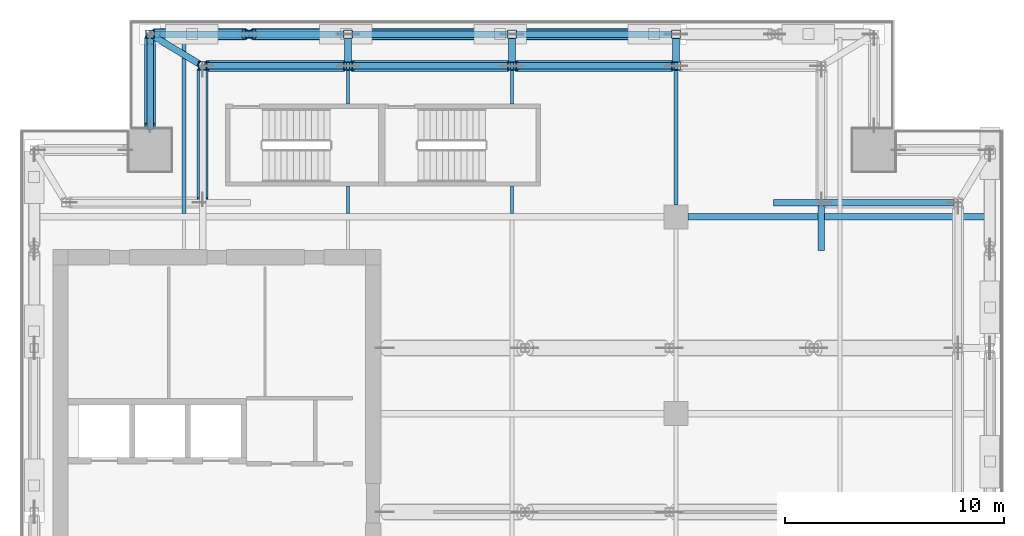
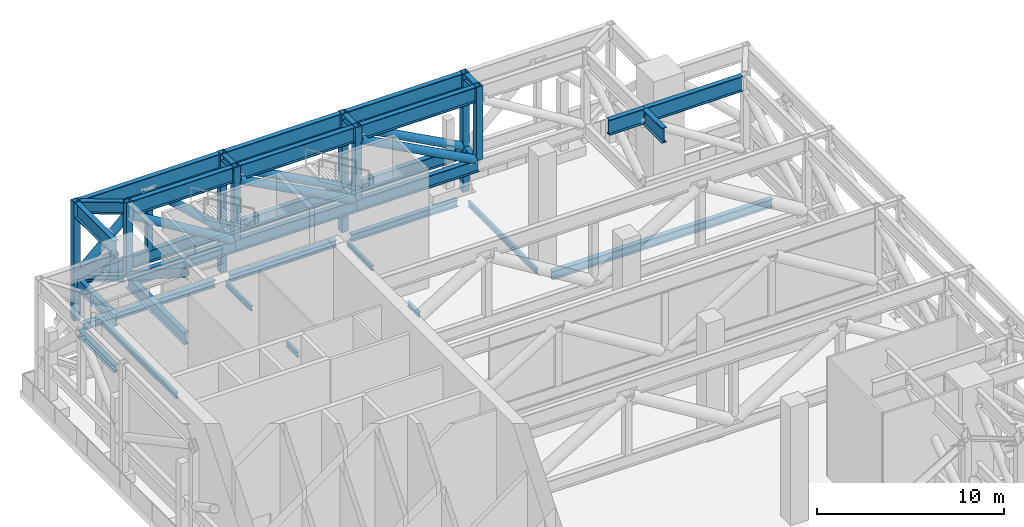
# One storey, part 5 of 15: 36 members, 19 beams.
"""IFC4 building model written with IfcOpenShell, lengths in metres."""

from ifc_helpers import new_model, si_unit, direction, frame, origin, origin_2d, place, context, subcontext, project, spatial, hollow_rectangle, hollow_circle, i_section, extrude, source, transform, mapped, material, material_profile, profile_set, type_object, element, save


model = new_model("IFC4")

# Units and contexts
model_context = context("Model", 3, precision=1e-05, world=origin(), true_north=direction((0.0, 1.0)))
body_context = subcontext(model_context, "Body", "Model", "MODEL_VIEW")
ifc_project = project(units=[si_unit("LENGTHUNIT", "METRE"), si_unit("AREAUNIT", "SQUARE_METRE"), si_unit("VOLUMEUNIT", "CUBIC_METRE"), si_unit("PLANEANGLEUNIT", "RADIAN"), si_unit("MASSUNIT", "GRAM", prefix="KILO")], contexts=[model_context])

# Site, building, storey
site_placement = place(None, origin())
site = spatial("IfcSite", under=ifc_project, at=site_placement, CompositionType="ELEMENT")
building_placement = place(site_placement, origin())
building = spatial("IfcBuilding", under=site, at=building_placement, Name="Khomas Fold Tower", CompositionType="ELEMENT")
storey_placement = place(building_placement, frame((0.0, 0.0, 274.199951171875)))
storey = spatial("IfcBuildingStorey", under=building, at=storey_placement, Name="L62", CompositionType="ELEMENT", Elevation=274.199951171875)

# Beams
ifc_material_1 = material(Name="Steel S355", Category="steel")
ifc_material_profile_1 = material_profile(ifc_material_1, i_section(OverallWidth=0.159912109375, OverallDepth=0.330078125, WebThickness=0.007568359375, FlangeThickness=0.011474609375, at=origin_2d()), Name="IPE 330")
ifc_profile_set_1 = profile_set([ifc_material_profile_1], Name="Steel S355")
beam_type_1 = type_object("IfcBeamType", Name="IPE 330 beam JB1", PredefinedType="BEAM", material=ifc_profile_set_1)
shared_shape_1 = source(origin(), body_context, "Body", "SweptSolid", [
    extrude(i_section(OverallWidth=0.159912109375, OverallDepth=0.330078125, WebThickness=0.007568359375, FlangeThickness=0.011474609375, at=origin_2d()), origin(), (0.0, 0.0, 1.0), 1.25),
])
for number, where, z_axis, x_axis, name in (
    (1, (19.5, 40.64990234375, -0.56494140625), (0.0, 1.0, 0.0), (-1.0, 0.0, 0.0), "JB1"),
    (2, (27.0, 40.64990234375, -0.56494140625), (0.0, 1.0, 0.0), (-1.0, 0.0, 0.0), "JB1"),
):
    element("IfcBeam", number, at=place(storey_placement, frame(where, z_axis=z_axis, x_axis=x_axis)), inside=storey, type_object=beam_type_1, Name=name, PredefinedType="BEAM", context=body_context, shape_type="MappedRepresentation", body=[
        mapped(shared_shape_1, transform((0.0, 0.0, 0.0))),
    ])
shared_shape_2 = source(origin(), body_context, "Body", "SweptSolid", [
    extrude(i_section(OverallWidth=0.159912109375, OverallDepth=0.330078125, WebThickness=0.007568359375, FlangeThickness=0.011474609375, at=origin_2d()), origin(), (0.0, 0.0, 1.0), 2.75),
])
for number, where, z_axis, x_axis, name in (
    (3, (19.5, 45.64990234375, -0.56494140625), (0.0, 1.0, 0.0), (-1.0, 0.0, 0.0), "JB1"),
    (4, (27.0, 45.64990234375, -0.56494140625), (0.0, 1.0, 0.0), (-1.0, 0.0, 0.0), "JB1"),
):
    element("IfcBeam", number, at=place(storey_placement, frame(where, z_axis=z_axis, x_axis=x_axis)), inside=storey, type_object=beam_type_1, Name=name, PredefinedType="BEAM", context=body_context, shape_type="MappedRepresentation", body=[
        mapped(shared_shape_2, transform((0.0, 0.0, 0.0))),
    ])
ifc_material_2 = material(Name="Steel S355", Category="steel")
ifc_material_profile_2 = material_profile(ifc_material_2, i_section(OverallWidth=0.300048828125, OverallDepth=0.449951171875, WebThickness=0.013916015625, FlangeThickness=0.02587890625, at=origin_2d()), Name="HE 450 B")
ifc_profile_set_2 = profile_set([ifc_material_profile_2], Name="Steel S355")
beam_type_2 = type_object("IfcBeamType", Name="HE 450 B spandrel SB4", PredefinedType="SPANDREL", material=ifc_profile_set_2)
shared_shape_3 = source(origin(), body_context, "Body", "SweptSolid", [
    extrude(i_section(OverallWidth=0.300048828125, OverallDepth=0.449951171875, WebThickness=0.013916015625, FlangeThickness=0.02587890625, at=origin_2d()), origin(), (0.0, 0.0, 1.0), 8.150146484375),
])
beam_1_placement = place(storey_placement, frame((10.89990234375, 48.85009765625, -0.625), z_axis=(1.0, 0.0, 0.0), x_axis=(0.0, 1.0, 0.0)))
element("IfcBeam", 5, at=beam_1_placement, inside=storey, type_object=beam_type_2, Name="SB4", PredefinedType="SPANDREL", context=body_context, shape_type="MappedRepresentation", body=[
    mapped(shared_shape_3, transform((0.0, 0.0, 0.0))),
])
shared_shape_4 = source(origin(), body_context, "Body", "SweptSolid", [
    extrude(i_section(OverallWidth=0.300048828125, OverallDepth=0.449951171875, WebThickness=0.013916015625, FlangeThickness=0.02587890625, at=origin_2d()), origin(), (0.0, 0.0, 1.0), 6.60009765625),
])
for number, where, z_axis, x_axis, name in (
    (6, (27.449951171875, 48.85009765625, -0.625), (1.0, 0.0, 0.0), (0.0, 1.0, 0.0), "SB4"),
    (7, (19.949951171875, 48.85009765625, -0.625), (1.0, 0.0, 0.0), (0.0, 1.0, 0.0), "SB4"),
):
    element("IfcBeam", number, at=place(storey_placement, frame(where, z_axis=z_axis, x_axis=x_axis)), inside=storey, type_object=beam_type_2, Name=name, PredefinedType="SPANDREL", context=body_context, shape_type="MappedRepresentation", body=[
        mapped(shared_shape_4, transform((0.0, 0.0, 0.0))),
    ])
shared_shape_5 = source(origin(), body_context, "Body", "SweptSolid", [
    extrude(i_section(OverallWidth=0.300048828125, OverallDepth=0.449951171875, WebThickness=0.013916015625, FlangeThickness=0.02587890625, at=origin_2d()), origin(), (0.0, 0.0, 1.0), 3.89990234375),
])
beam_2_placement = place(storey_placement, frame((10.449951171875, 44.5, -0.625), z_axis=(0.0, 1.0, 0.0), x_axis=(-1.0, 0.0, 0.0)))
element("IfcBeam", 8, at=beam_2_placement, inside=storey, type_object=beam_type_2, Name="SB4", PredefinedType="SPANDREL", context=body_context, shape_type="MappedRepresentation", body=[
    mapped(shared_shape_5, transform((0.0, 0.0, 0.0))),
])
ifc_material_3 = material(Name="Steel S355", Category="steel")
ifc_material_profile_3 = material_profile(ifc_material_3, i_section(OverallWidth=0.300048828125, OverallDepth=0.550048828125, WebThickness=0.014892578125, FlangeThickness=0.029052734375, at=origin_2d()), Name="HE 550 B")
ifc_profile_set_3 = profile_set([ifc_material_profile_3], Name="Steel S355")
beam_type_3 = type_object("IfcBeamType", Name="HE 550 B beam GB4", PredefinedType="BEAM", material=ifc_profile_set_3)
shared_shape_6 = source(origin(), body_context, "Body", "SweptSolid", [
    extrude(i_section(OverallWidth=0.300048828125, OverallDepth=0.550048828125, WebThickness=0.014892578125, FlangeThickness=0.029052734375, at=origin_2d()), origin(), (0.0, 0.0, 1.0), 13.64990234375),
])
beam_3_placement = place(storey_placement, frame((35.050048828125, 40.5, -0.675048828125), z_axis=(1.0, 0.0, 0.0), x_axis=(0.0, 1.0, 0.0)))
element("IfcBeam", 9, at=beam_3_placement, inside=storey, type_object=beam_type_3, Name="GB4", PredefinedType="BEAM", context=body_context, shape_type="MappedRepresentation", body=[
    mapped(shared_shape_6, transform((0.0, 0.0, 0.0))),
])
ifc_material_4 = material(Name="Steel S355", Category="steel")
ifc_material_profile_4 = material_profile(ifc_material_4, i_section(OverallWidth=0.179931640625, OverallDepth=0.39990234375, WebThickness=0.008544921875, FlangeThickness=0.013427734375, at=origin_2d()), Name="IPE 400")
ifc_profile_set_4 = profile_set([ifc_material_profile_4], Name="Steel S355")
beam_type_4 = type_object("IfcBeamType", Name="IPE 400 beam JB3", PredefinedType="BEAM", material=ifc_profile_set_4)
shared_shape_7 = source(origin(), body_context, "Body", "SweptSolid", [
    extrude(i_section(OverallWidth=0.179931640625, OverallDepth=0.39990234375, WebThickness=0.008544921875, FlangeThickness=0.013427734375, at=origin_2d()), origin(), (0.0, 0.0, 1.0), 8.050048828125),
])
beam_4_placement = place(storey_placement, frame((12.0, 40.64990234375, -0.599853515625), z_axis=(0.0, 1.0, 0.0), x_axis=(-1.0, 0.0, 0.0)))
element("IfcBeam", 10, at=beam_4_placement, inside=storey, type_object=beam_type_4, Name="JB3", PredefinedType="BEAM", context=body_context, shape_type="MappedRepresentation", body=[
    mapped(shared_shape_7, transform((0.0, 0.0, 0.0))),
])
ifc_material_5 = material(Name="Steel S355", Category="steel")
ifc_material_profile_5 = material_profile(ifc_material_5, i_section(OverallWidth=0.169921875, OverallDepth=0.360107421875, WebThickness=0.008056640625, FlangeThickness=0.0126953125, at=origin_2d()), Name="IPE 360")
ifc_profile_set_5 = profile_set([ifc_material_profile_5], Name="Steel S355")
beam_type_5 = type_object("IfcBeamType", Name="IPE 360 beam JB2", PredefinedType="BEAM", material=ifc_profile_set_5)
shared_shape_8 = source(origin(), body_context, "Body", "SweptSolid", [
    extrude(i_section(OverallWidth=0.169921875, OverallDepth=0.360107421875, WebThickness=0.008056640625, FlangeThickness=0.0126953125, at=origin_2d()), origin(), (0.0, 0.0, 1.0), 7.349853515625),
])
beam_5_placement = place(storey_placement, frame((34.5, 41.050048828125, -0.579833984375), z_axis=(0.0, 1.0, 0.0), x_axis=(-1.0, 0.0, 0.0)))
element("IfcBeam", 11, at=beam_5_placement, inside=storey, type_object=beam_type_5, Name="JB2", PredefinedType="BEAM", context=body_context, shape_type="MappedRepresentation", body=[
    mapped(shared_shape_8, transform((0.0, 0.0, 0.0))),
])

# Members
ifc_material_6 = material(Name="Steel S460M", Category="steel")
ifc_material_profile_6 = material_profile(ifc_material_6, i_section(OverallWidth=0.300048828125, OverallDepth=1.0, WebThickness=0.01904296875, FlangeThickness=0.035888671875, at=origin_2d()), Name="HE 1000 B")
ifc_profile_set_6 = profile_set([ifc_material_profile_6], Name="Steel S460M")
member_type_1 = type_object("IfcMemberType", Name="BELT TRUSS 4 TOP CHORD HE 1000 B", PredefinedType="CHORD", material=ifc_profile_set_6)
shared_shape_9 = source(origin(), body_context, "Body", "SweptSolid", [
    extrude(i_section(OverallWidth=0.300048828125, OverallDepth=1.0, WebThickness=0.01904296875, FlangeThickness=0.035888671875, at=origin_2d()), origin(), (0.0, 0.0, 1.0), 8.650146484375),
])
member_1_placement = place(storey_placement, frame((19.300048828125, 48.85009765625, 7.25), z_axis=(-1.0, 0.0, 0.0), x_axis=(0.0, -1.0, 0.0)))
element("IfcMember", 12, at=member_1_placement, inside=storey, type_object=member_type_1, Name="BT4-CT", PredefinedType="CHORD", context=body_context, shape_type="MappedRepresentation", body=[
    mapped(shared_shape_9, transform((0.0, 0.0, 0.0))),
])
ifc_material_7 = material(Name="Steel S460M", Category="steel")
ifc_material_profile_7 = material_profile(ifc_material_7, i_section(OverallWidth=0.300048828125, OverallDepth=0.800048828125, WebThickness=0.017578125, FlangeThickness=0.032958984375, at=origin_2d()), Name="HE 800 B")
ifc_profile_set_7 = profile_set([ifc_material_profile_7], Name="Steel S460M")
member_type_2 = type_object("IfcMemberType", Name="BELT TRUSS 4 BOTTOM CHORD HE 800 B", PredefinedType="CHORD", material=ifc_profile_set_7)
shared_shape_10 = source(origin(), body_context, "Body", "SweptSolid", [
    extrude(i_section(OverallWidth=0.300048828125, OverallDepth=0.800048828125, WebThickness=0.017578125, FlangeThickness=0.032958984375, at=origin_2d()), origin(), (0.0, 0.0, 1.0), 8.650146484375),
])
member_2_placement = place(storey_placement, frame((19.300048828125, 48.85009765625, 2.550048828125), z_axis=(-1.0, 0.0, 0.0), x_axis=(0.0, -1.0, 0.0)))
element("IfcMember", 13, at=member_2_placement, inside=storey, type_object=member_type_2, Name="BT4-CB", PredefinedType="CHORD", context=body_context, shape_type="MappedRepresentation", body=[
    mapped(shared_shape_10, transform((0.0, 0.0, 0.0))),
])
ifc_material_8 = material(Name="Steel S355", Category="steel")
ifc_material_profile_8 = material_profile(ifc_material_8, hollow_circle(Radius=0.25390625, WallThickness=0.02001953125, at=origin_2d()), Name="CHS 508x20")
ifc_profile_set_8 = profile_set([ifc_material_profile_8], Name="Steel S355")
member_type_3 = type_object("IfcMemberType", Name="BELT TRUSS 4 DIAGONAL CHS 508x20", PredefinedType="BRACE", material=ifc_profile_set_8)
shared_shape_11 = source(origin(), body_context, "Body", "SweptSolid", [
    extrude(hollow_circle(Radius=0.25390625, WallThickness=0.02001953125, at=origin_2d()), origin(), (0.0, 0.0, 1.0), 5.6337890625),
])
for number, where, z_axis, x_axis, name in (
    (14, (19.300048828125, 48.85009765625, 2.945068359375), (-0.736644872109, 0.0, 0.676279773759), (0.0, -1.0, 0.0), "BT4-D"),
    (15, (14.800048828125, 48.85009765625, 6.755126953125), (-0.736644872109, 0.0, -0.676279773759), (0.0, -1.0, 0.0), "BT4-D"),
):
    element("IfcMember", number, at=place(storey_placement, frame(where, z_axis=z_axis, x_axis=x_axis)), inside=storey, type_object=member_type_3, Name=name, PredefinedType="BRACE", context=body_context, shape_type="MappedRepresentation", body=[
        mapped(shared_shape_11, transform((0.0, 0.0, 0.0))),
    ])
ifc_material_9 = material(Name="Steel S355", Category="steel")
ifc_material_profile_9 = material_profile(ifc_material_9, hollow_rectangle(XDim=0.35009765625, YDim=0.35009765625, WallThickness=0.02001953125, at=origin_2d()), Name="SHS 350x350x20")
ifc_profile_set_9 = profile_set([ifc_material_profile_9], Name="Steel S355")
member_type_4 = type_object("IfcMemberType", Name="BELT TRUSS 4 MID POST SHS 350x350x20", PredefinedType="POST", material=ifc_profile_set_9)
shared_shape_12 = source(origin(), body_context, "Body", "SweptSolid", [
    extrude(hollow_rectangle(XDim=0.35009765625, YDim=0.35009765625, WallThickness=0.02001953125, at=origin_2d()), origin(), (0.0, 0.0, 1.0), 3.800048828125),
])
member_3_placement = place(storey_placement, frame((14.97509765625, 48.85009765625, 2.949951171875), z_axis=(0.0, 0.0, 1.0), x_axis=(1.0, 0.0, 0.0)))
element("IfcMember", 16, at=member_3_placement, inside=storey, type_object=member_type_4, Name="BT4-M", PredefinedType="POST", context=body_context, shape_type="MappedRepresentation", body=[
    mapped(shared_shape_12, transform((0.0, 0.0, 0.0))),
])
shared_shape_13 = source(origin(), body_context, "Body", "SweptSolid", [
    extrude(i_section(OverallWidth=0.300048828125, OverallDepth=1.0, WebThickness=0.01904296875, FlangeThickness=0.035888671875, at=origin_2d()), origin(), (0.0, 0.0, 1.0), 7.10009765625),
])
for number, where, z_axis, x_axis, name in (
    (17, (34.300048828125, 48.85009765625, 7.25), (-1.0, 0.0, 0.0), (0.0, -1.0, 0.0), "BT4-CT"),
    (18, (26.800048828125, 48.85009765625, 7.25), (-1.0, 0.0, 0.0), (0.0, -1.0, 0.0), "BT4-CT"),
    (19, (34.300048828125, 47.39990234375, 7.25), (-1.0, 0.0, 0.0), (0.0, -1.0, 0.0), "BT4-CT"),
    (20, (26.800048828125, 47.39990234375, 7.25), (-1.0, 0.0, 0.0), (0.0, -1.0, 0.0), "BT4-CT"),
):
    element("IfcMember", number, at=place(storey_placement, frame(where, z_axis=z_axis, x_axis=x_axis)), inside=storey, type_object=member_type_1, Name=name, PredefinedType="CHORD", context=body_context, shape_type="MappedRepresentation", body=[
        mapped(shared_shape_13, transform((0.0, 0.0, 0.0))),
    ])
shared_shape_14 = source(origin(), body_context, "Body", "SweptSolid", [
    extrude(i_section(OverallWidth=0.300048828125, OverallDepth=0.800048828125, WebThickness=0.017578125, FlangeThickness=0.032958984375, at=origin_2d()), origin(), (0.0, 0.0, 1.0), 7.10009765625),
])
for number, where, z_axis, x_axis, name in (
    (21, (34.300048828125, 48.85009765625, 2.550048828125), (-1.0, 0.0, 0.0), (0.0, -1.0, 0.0), "BT4-CB"),
    (22, (26.800048828125, 48.85009765625, 2.550048828125), (-1.0, 0.0, 0.0), (0.0, -1.0, 0.0), "BT4-CB"),
):
    element("IfcMember", number, at=place(storey_placement, frame(where, z_axis=z_axis, x_axis=x_axis)), inside=storey, type_object=member_type_2, Name=name, PredefinedType="CHORD", context=body_context, shape_type="MappedRepresentation", body=[
        mapped(shared_shape_14, transform((0.0, 0.0, 0.0))),
    ])
shared_shape_15 = source(origin(), body_context, "Body", "SweptSolid", [
    extrude(hollow_circle(Radius=0.25390625, WallThickness=0.02001953125, at=origin_2d()), origin(), (0.0, 0.0, 1.0), 8.057861328125),
])
for number, where, z_axis, x_axis, name in (
    (23, (34.300048828125, 48.85009765625, 2.945068359375), (-0.881147336549, 0.0, 0.472841803665), (0.0, -1.0, 0.0), "BT4-D"),
    (24, (26.800048828125, 48.85009765625, 2.945068359375), (-0.881147336549, 0.0, 0.472841803665), (0.0, -1.0, 0.0), "BT4-D"),
    (25, (34.300048828125, 47.39990234375, 2.945068359375), (-0.881147336549, 0.0, 0.472841803665), (0.0, -1.0, 0.0), "BT4-D"),
    (26, (26.800048828125, 47.39990234375, 2.945068359375), (-0.881147336549, 0.0, 0.472841803665), (0.0, -1.0, 0.0), "BT4-D"),
):
    element("IfcMember", number, at=place(storey_placement, frame(where, z_axis=z_axis, x_axis=x_axis)), inside=storey, type_object=member_type_3, Name=name, PredefinedType="BRACE", context=body_context, shape_type="MappedRepresentation", body=[
        mapped(shared_shape_15, transform((0.0, 0.0, 0.0))),
    ])
ifc_material_10 = material(Name="Steel S460M", Category="steel")
ifc_material_profile_10 = material_profile(ifc_material_10, i_section(OverallWidth=0.300048828125, OverallDepth=1.0, WebThickness=0.01904296875, FlangeThickness=0.035888671875, at=origin_2d()), Name="HE 1000 B")
ifc_profile_set_10 = profile_set([ifc_material_profile_10], Name="Steel S460M")
member_type_5 = type_object("IfcMemberType", Name="BELT TRUSS 4 TOP CHORD SHORT HE 1000 B", PredefinedType="CHORD", material=ifc_profile_set_10)
shared_shape_16 = source(origin(), body_context, "Body", "SweptSolid", [
    extrude(i_section(OverallWidth=0.300048828125, OverallDepth=1.0, WebThickness=0.01904296875, FlangeThickness=0.035888671875, at=origin_2d()), origin(), (0.0, 0.0, 1.0), 4.14990234375),
])
member_4_placement = place(storey_placement, frame((10.449951171875, 48.64990234375, 7.25), z_axis=(0.0, -1.0, 0.0), x_axis=(1.0, 0.0, 0.0)))
element("IfcMember", 27, at=member_4_placement, inside=storey, type_object=member_type_5, Name="BT4-CTS", PredefinedType="CHORD", context=body_context, shape_type="MappedRepresentation", body=[
    mapped(shared_shape_16, transform((0.0, 0.0, 0.0))),
])
ifc_material_11 = material(Name="Steel S460M", Category="steel")
ifc_material_profile_11 = material_profile(ifc_material_11, i_section(OverallWidth=0.300048828125, OverallDepth=0.800048828125, WebThickness=0.017578125, FlangeThickness=0.032958984375, at=origin_2d()), Name="HE 800 B")
ifc_profile_set_11 = profile_set([ifc_material_profile_11], Name="Steel S460M")
member_type_6 = type_object("IfcMemberType", Name="BELT TRUSS 4 BOTTOM CHORD SHORT HE 800 B", PredefinedType="CHORD", material=ifc_profile_set_11)
shared_shape_17 = source(origin(), body_context, "Body", "SweptSolid", [
    extrude(i_section(OverallWidth=0.300048828125, OverallDepth=0.800048828125, WebThickness=0.017578125, FlangeThickness=0.032958984375, at=origin_2d()), origin(), (0.0, 0.0, 1.0), 4.14990234375),
])
member_5_placement = place(storey_placement, frame((10.449951171875, 48.64990234375, 2.550048828125), z_axis=(0.0, -1.0, 0.0), x_axis=(1.0, 0.0, 0.0)))
element("IfcMember", 28, at=member_5_placement, inside=storey, type_object=member_type_6, Name="BT4-CBS", PredefinedType="CHORD", context=body_context, shape_type="MappedRepresentation", body=[
    mapped(shared_shape_17, transform((0.0, 0.0, 0.0))),
])
shared_shape_18 = source(origin(), body_context, "Body", "SweptSolid", [
    extrude(hollow_circle(Radius=0.25390625, WallThickness=0.02001953125, at=origin_2d()), origin(), (0.0, 0.0, 1.0), 5.508544921875),
])
member_6_placement = place(storey_placement, frame((10.449951171875, 48.64990234375, 2.945068359375), z_axis=(0.0, -0.722210494752, 0.691673334219), x_axis=(1.0, 0.0, 0.0)))
element("IfcMember", 29, at=member_6_placement, inside=storey, type_object=member_type_3, Name="BT4-D", PredefinedType="BRACE", context=body_context, shape_type="MappedRepresentation", body=[
    mapped(shared_shape_18, transform((0.0, 0.0, 0.0))),
])
shared_shape_19 = source(origin(), body_context, "Body", "SweptSolid", [
    extrude(i_section(OverallWidth=0.300048828125, OverallDepth=1.0, WebThickness=0.01904296875, FlangeThickness=0.035888671875, at=origin_2d()), origin(), (0.0, 0.0, 1.0), 6.25),
])
member_7_placement = place(storey_placement, frame((19.300048828125, 47.39990234375, 7.25), z_axis=(-1.0, 0.0, 0.0), x_axis=(0.0, -1.0, 0.0)))
element("IfcMember", 30, at=member_7_placement, inside=storey, type_object=member_type_1, Name="BT4-CT", PredefinedType="CHORD", context=body_context, shape_type="MappedRepresentation", body=[
    mapped(shared_shape_19, transform((0.0, 0.0, 0.0))),
])
shared_shape_20 = source(origin(), body_context, "Body", "SweptSolid", [
    extrude(i_section(OverallWidth=0.300048828125, OverallDepth=0.800048828125, WebThickness=0.017578125, FlangeThickness=0.032958984375, at=origin_2d()), origin(), (0.0, 0.0, 1.0), 6.5),
])
member_8_placement = place(storey_placement, frame((19.5, 47.39990234375, 2.550048828125), z_axis=(-1.0, 0.0, 0.0), x_axis=(0.0, -1.0, 0.0)))
element("IfcMember", 31, at=member_8_placement, inside=storey, type_object=member_type_2, Name="BT4-CB", PredefinedType="CHORD", context=body_context, shape_type="MappedRepresentation", body=[
    mapped(shared_shape_20, transform((0.0, 0.0, 0.0))),
])
shared_shape_21 = source(origin(), body_context, "Body", "SweptSolid", [
    extrude(hollow_circle(Radius=0.25390625, WallThickness=0.02001953125, at=origin_2d()), origin(), (0.0, 0.0, 1.0), 7.31982421875),
])
member_9_placement = place(storey_placement, frame((19.300048828125, 47.39990234375, 2.945068359375), z_axis=(-0.853851856649, 0.0, 0.520516096674), x_axis=(0.0, -1.0, 0.0)))
element("IfcMember", 32, at=member_9_placement, inside=storey, type_object=member_type_3, Name="BT4-D", PredefinedType="BRACE", context=body_context, shape_type="MappedRepresentation", body=[
    mapped(shared_shape_21, transform((0.0, 0.0, 0.0))),
])
shared_shape_22 = source(origin(), body_context, "Body", "SweptSolid", [
    extrude(i_section(OverallWidth=0.300048828125, OverallDepth=0.800048828125, WebThickness=0.017578125, FlangeThickness=0.032958984375, at=origin_2d()), origin(), (0.0, 0.0, 1.0), 7.5),
])
for number, where, z_axis, x_axis, name in (
    (33, (34.5, 47.39990234375, 2.550048828125), (-1.0, 0.0, 0.0), (0.0, -1.0, 0.0), "BT4-CB"),
    (34, (27.0, 47.39990234375, 2.550048828125), (-1.0, 0.0, 0.0), (0.0, -1.0, 0.0), "BT4-CB"),
):
    element("IfcMember", number, at=place(storey_placement, frame(where, z_axis=z_axis, x_axis=x_axis)), inside=storey, type_object=member_type_2, Name=name, PredefinedType="CHORD", context=body_context, shape_type="MappedRepresentation", body=[
        mapped(shared_shape_22, transform((0.0, 0.0, 0.0))),
    ])
shared_shape_23 = source(origin(), body_context, "Body", "SweptSolid", [
    extrude(i_section(OverallWidth=0.300048828125, OverallDepth=1.0, WebThickness=0.01904296875, FlangeThickness=0.035888671875, at=origin_2d()), origin(), (0.0, 0.0, 1.0), 6.050048828125),
])
member_10_placement = place(storey_placement, frame((47.199951171875, 41.14990234375, 7.25), z_axis=(-1.0, 0.0, 0.0), x_axis=(0.0, -1.0, 0.0)))
element("IfcMember", 35, at=member_10_placement, inside=storey, type_object=member_type_5, Name="BT4-CTS", PredefinedType="CHORD", context=body_context, shape_type="MappedRepresentation", body=[
    mapped(shared_shape_23, transform((0.0, 0.0, 0.0))),
])
shared_shape_24 = source(origin(), body_context, "Body", "SweptSolid", [
    extrude(i_section(OverallWidth=0.300048828125, OverallDepth=0.800048828125, WebThickness=0.017578125, FlangeThickness=0.032958984375, at=origin_2d()), origin(), (0.0, 0.0, 1.0), 6.25),
])
member_11_placement = place(storey_placement, frame((12.85009765625, 47.39990234375, 2.550048828125), z_axis=(0.0, -1.0, 0.0), x_axis=(1.0, 0.0, 0.0)))
element("IfcMember", 36, at=member_11_placement, inside=storey, type_object=member_type_2, Name="BT4-CB", PredefinedType="CHORD", context=body_context, shape_type="MappedRepresentation", body=[
    mapped(shared_shape_24, transform((0.0, 0.0, 0.0))),
])
shared_shape_25 = source(origin(), body_context, "Body", "SweptSolid", [
    extrude(hollow_circle(Radius=0.25390625, WallThickness=0.02001953125, at=origin_2d()), origin(), (0.0, 0.0, 1.0), 7.03564453125),
])
member_12_placement = place(storey_placement, frame((12.85009765625, 47.199951171875, 2.945068359375), z_axis=(0.0, -0.840680917797, 0.541530788093), x_axis=(1.0, 0.0, 0.0)))
element("IfcMember", 37, at=member_12_placement, inside=storey, type_object=member_type_3, Name="BT4-D", PredefinedType="BRACE", context=body_context, shape_type="MappedRepresentation", body=[
    mapped(shared_shape_25, transform((0.0, 0.0, 0.0))),
])
ifc_material_12 = material(Name="Steel S460M", Category="steel")
ifc_material_profile_12 = material_profile(ifc_material_12, i_section(OverallWidth=0.300048828125, OverallDepth=1.0, WebThickness=0.01904296875, FlangeThickness=0.035888671875, at=origin_2d()), Name="HE 1000 B")
ifc_profile_set_12 = profile_set([ifc_material_profile_12], Name="Steel S460M")
member_type_7 = type_object("IfcMemberType", Name="BELT TRUSS 4 TOP CHORD SHORTER HE 1000 B", PredefinedType="CHORD", material=ifc_profile_set_12)
shared_shape_26 = source(origin(), body_context, "Body", "SweptSolid", [
    extrude(i_section(OverallWidth=0.300048828125, OverallDepth=1.0, WebThickness=0.01904296875, FlangeThickness=0.035888671875, at=origin_2d()), origin(), (0.0, 0.0, 1.0), 2.199951171875),
])
member_13_placement = place(storey_placement, frame((41.14990234375, 41.14990234375, 7.25), z_axis=(-1.0, 0.0, 0.0), x_axis=(0.0, -1.0, 0.0)))
element("IfcMember", 38, at=member_13_placement, inside=storey, type_object=member_type_7, Name="BT4-CTSS", PredefinedType="CHORD", context=body_context, shape_type="MappedRepresentation", body=[
    mapped(shared_shape_26, transform((0.0, 0.0, 0.0))),
])
shared_shape_27 = source(origin(), body_context, "Body", "SweptSolid", [
    extrude(i_section(OverallWidth=0.300048828125, OverallDepth=1.0, WebThickness=0.01904296875, FlangeThickness=0.035888671875, at=origin_2d()), origin(), (0.0, 0.0, 1.0), 2.050048828125),
])
member_14_placement = place(storey_placement, frame((41.14990234375, 41.0, 7.25), z_axis=(0.0, -1.0, 0.0), x_axis=(1.0, 0.0, 0.0)))
element("IfcMember", 39, at=member_14_placement, inside=storey, type_object=member_type_7, Name="BT4-CTSS", PredefinedType="CHORD", context=body_context, shape_type="MappedRepresentation", body=[
    mapped(shared_shape_27, transform((0.0, 0.0, 0.0))),
])
ifc_material_13 = material(Name="Steel S460M", Category="steel")
ifc_material_profile_13 = material_profile(ifc_material_13, hollow_rectangle(XDim=0.39990234375, YDim=0.39990234375, WallThickness=0.02490234375, at=origin_2d()), Name="SHS 400x400x25")
ifc_profile_set_13 = profile_set([ifc_material_profile_13], Name="Steel S460M")
member_type_8 = type_object("IfcMemberType", Name="BELT TRUSS 4 COLUMN POST SHS 400x400x25", PredefinedType="POST", material=ifc_profile_set_13)
shared_shape_28 = source(origin(), body_context, "Body", "SweptSolid", [
    extrude(hollow_rectangle(XDim=0.39990234375, YDim=0.39990234375, WallThickness=0.02490234375, at=origin_2d()), origin(), (0.0, 0.0, 1.0), 7.75),
])
for number, where, z_axis, x_axis, name in (
    (40, (34.5, 48.85009765625, 0.0), (0.0, 0.0, 1.0), (1.0, 0.0, 0.0), "BT4-P"),
    (41, (27.0, 48.85009765625, 0.0), (0.0, 0.0, 1.0), (1.0, 0.0, 0.0), "BT4-P"),
    (42, (19.5, 48.85009765625, 0.0), (0.0, 0.0, 1.0), (1.0, 0.0, 0.0), "BT4-P"),
    (43, (10.449951171875, 48.85009765625, 0.0), (0.0, 0.0, 1.0), (1.0, 0.0, 0.0), "BT4-P"),
):
    element("IfcMember", number, at=place(storey_placement, frame(where, z_axis=z_axis, x_axis=x_axis)), inside=storey, type_object=member_type_8, Name=name, PredefinedType="POST", context=body_context, shape_type="MappedRepresentation", body=[
        mapped(shared_shape_28, transform((0.0, 0.0, 0.0))),
    ])
ifc_material_14 = material(Name="Steel S460M", Category="steel")
ifc_material_profile_14 = material_profile(ifc_material_14, hollow_rectangle(XDim=0.39990234375, YDim=0.39990234375, WallThickness=0.02490234375, at=origin_2d()), Name="SHS 400x400x25")
ifc_profile_set_14 = profile_set([ifc_material_profile_14], Name="Steel S460M")
member_type_9 = type_object("IfcMemberType", Name="BELT TRUSS 4 COLUMN POST SHORT SHS 400x400x25", PredefinedType="POST", material=ifc_profile_set_14)
shared_shape_29 = source(origin(), body_context, "Body", "SweptSolid", [
    extrude(hollow_rectangle(XDim=0.39990234375, YDim=0.39990234375, WallThickness=0.02490234375, at=origin_2d()), origin(), (0.0, 0.0, 1.0), 4.800048828125),
])
for number, where, z_axis, x_axis, name in (
    (44, (34.5, 47.39990234375, 2.949951171875), (0.0, 0.0, 1.0), (1.0, 0.0, 0.0), "BT4-PS"),
    (45, (27.0, 47.39990234375, 2.949951171875), (0.0, 0.0, 1.0), (1.0, 0.0, 0.0), "BT4-PS"),
    (46, (19.5, 47.39990234375, 2.949951171875), (0.0, 0.0, 1.0), (1.0, 0.0, 0.0), "BT4-PS"),
    (47, (12.85009765625, 47.39990234375, 2.949951171875), (0.0, 0.0, 1.0), (1.0, 0.0, 0.0), "BT4-PS"),
):
    element("IfcMember", number, at=place(storey_placement, frame(where, z_axis=z_axis, x_axis=x_axis)), inside=storey, type_object=member_type_9, Name=name, PredefinedType="POST", context=body_context, shape_type="MappedRepresentation", body=[
        mapped(shared_shape_29, transform((0.0, 0.0, 0.0))),
    ])

# Beams
ifc_material_15 = material(Name="Steel S460M", Category="steel")
ifc_material_profile_15 = material_profile(ifc_material_15, i_section(OverallWidth=0.300048828125, OverallDepth=0.800048828125, WebThickness=0.017578125, FlangeThickness=0.032958984375, at=origin_2d()), Name="HE 800 B")
ifc_profile_set_15 = profile_set([ifc_material_profile_15], Name="Steel S460M")
beam_type_6 = type_object("IfcBeamType", Name="BELT TRUSS 4 TOP TRANSFER STRUT HE 800 B", PredefinedType="BEAM", material=ifc_profile_set_15)
shared_shape_30 = source(origin(), body_context, "Body", "SweptSolid", [
    extrude(i_section(OverallWidth=0.300048828125, OverallDepth=0.800048828125, WebThickness=0.017578125, FlangeThickness=0.032958984375, at=origin_2d()), origin(), (0.0, 0.0, 1.0), 2.336669921875),
])
beam_6_placement = place(storey_placement, frame((12.64990234375, 47.520751953125, 7.35009765625), z_axis=(-0.855884711906, 0.51716666552, 0.0), x_axis=(-0.51716666552, -0.855884711906, 0.0)))
element("IfcBeam", 48, at=beam_6_placement, inside=storey, type_object=beam_type_6, Name="BT4-STD", PredefinedType="BEAM", context=body_context, shape_type="MappedRepresentation", body=[
    mapped(shared_shape_30, transform((0.0, 0.0, 0.0))),
])
ifc_material_16 = material(Name="Steel S355", Category="steel")
ifc_material_profile_16 = material_profile(ifc_material_16, i_section(OverallWidth=0.300048828125, OverallDepth=0.39990234375, WebThickness=0.013427734375, FlangeThickness=0.02392578125, at=origin_2d()), Name="HE 400 B")
ifc_profile_set_16 = profile_set([ifc_material_profile_16], Name="Steel S355")
beam_type_7 = type_object("IfcBeamType", Name="BELT TRUSS 4 BOTTOM STRUT LONG HE 400 B", PredefinedType="BEAM", material=ifc_profile_set_16)
shared_shape_31 = source(origin(), body_context, "Body", "SweptSolid", [
    extrude(i_section(OverallWidth=0.300048828125, OverallDepth=0.39990234375, WebThickness=0.013427734375, FlangeThickness=0.02392578125, at=origin_2d()), origin(), (0.0, 0.0, 1.0), 2.39501953125),
])
beam_7_placement = place(storey_placement, frame((12.699951171875, 47.49072265625, 2.75), z_axis=(-0.855924001063, 0.51710163837, 0.0), x_axis=(-0.51710163837, -0.855924001063, 0.0)))
element("IfcBeam", 49, at=beam_7_placement, inside=storey, type_object=beam_type_7, Name="BT4-SBL", PredefinedType="BEAM", context=body_context, shape_type="MappedRepresentation", body=[
    mapped(shared_shape_31, transform((0.0, 0.0, 0.0))),
])
ifc_material_17 = material(Name="Steel S355", Category="steel")
ifc_material_profile_17 = material_profile(ifc_material_17, i_section(OverallWidth=0.300048828125, OverallDepth=0.39990234375, WebThickness=0.013427734375, FlangeThickness=0.02392578125, at=origin_2d()), Name="HE 400 B")
ifc_profile_set_17 = profile_set([ifc_material_profile_17], Name="Steel S355")
beam_type_8 = type_object("IfcBeamType", Name="BELT TRUSS 4 TOP STRUT HE 400 B", PredefinedType="BEAM", material=ifc_profile_set_17)
shared_shape_32 = source(origin(), body_context, "Body", "SweptSolid", [
    extrude(i_section(OverallWidth=0.300048828125, OverallDepth=0.39990234375, WebThickness=0.013427734375, FlangeThickness=0.02392578125, at=origin_2d()), origin(), (0.0, 0.0, 1.0), 1.0498046875),
])
for number, where, z_axis, x_axis, name in (
    (50, (19.5, 47.60009765625, 7.550048828125), (0.0, 1.0, 0.0), (-1.0, 0.0, 0.0), "BT4-ST"),
    (51, (27.0, 47.60009765625, 7.550048828125), (0.0, 1.0, 0.0), (-1.0, 0.0, 0.0), "BT4-ST"),
    (52, (34.5, 47.60009765625, 7.550048828125), (0.0, 1.0, 0.0), (-1.0, 0.0, 0.0), "BT4-ST"),
):
    element("IfcBeam", number, at=place(storey_placement, frame(where, z_axis=z_axis, x_axis=x_axis)), inside=storey, type_object=beam_type_8, Name=name, PredefinedType="BEAM", context=body_context, shape_type="MappedRepresentation", body=[
        mapped(shared_shape_32, transform((0.0, 0.0, 0.0))),
    ])
ifc_material_18 = material(Name="Steel S355", Category="steel")
ifc_material_profile_18 = material_profile(ifc_material_18, i_section(OverallWidth=0.300048828125, OverallDepth=0.39990234375, WebThickness=0.013427734375, FlangeThickness=0.02392578125, at=origin_2d()), Name="HE 400 B")
ifc_profile_set_18 = profile_set([ifc_material_profile_18], Name="Steel S355")
beam_type_9 = type_object("IfcBeamType", Name="BELT TRUSS 4 BOTTOM STRUT HE 400 B", PredefinedType="BEAM", material=ifc_profile_set_18)
shared_shape_33 = source(origin(), body_context, "Body", "SweptSolid", [
    extrude(i_section(OverallWidth=0.300048828125, OverallDepth=0.39990234375, WebThickness=0.013427734375, FlangeThickness=0.02392578125, at=origin_2d()), origin(), (0.0, 0.0, 1.0), 1.099853515625),
])
for number, where, z_axis, x_axis, name in (
    (53, (19.5, 47.550048828125, 2.75), (0.0, 1.0, 0.0), (-1.0, 0.0, 0.0), "BT4-SB"),
    (54, (27.0, 47.550048828125, 2.75), (0.0, 1.0, 0.0), (-1.0, 0.0, 0.0), "BT4-SB"),
    (55, (34.5, 47.550048828125, 2.75), (0.0, 1.0, 0.0), (-1.0, 0.0, 0.0), "BT4-SB"),
):
    element("IfcBeam", number, at=place(storey_placement, frame(where, z_axis=z_axis, x_axis=x_axis)), inside=storey, type_object=beam_type_9, Name=name, PredefinedType="BEAM", context=body_context, shape_type="MappedRepresentation", body=[
        mapped(shared_shape_33, transform((0.0, 0.0, 0.0))),
    ])

save(model, "model.ifc")
